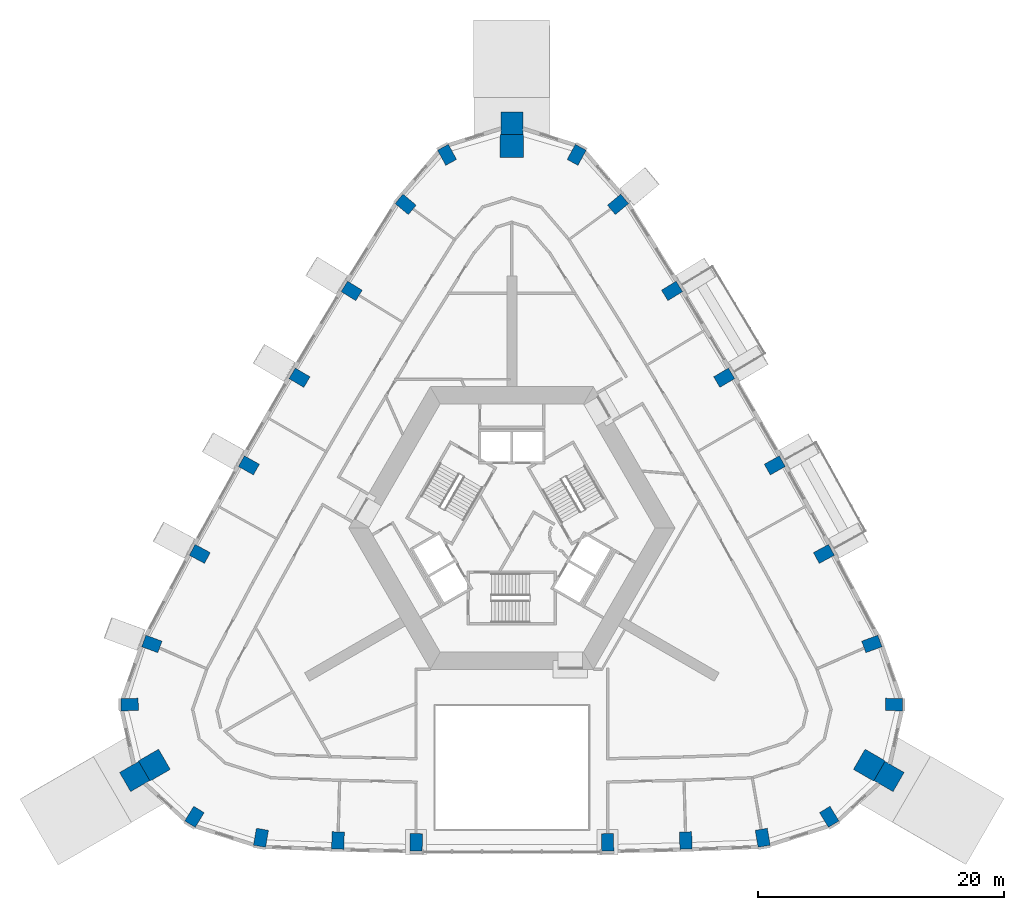
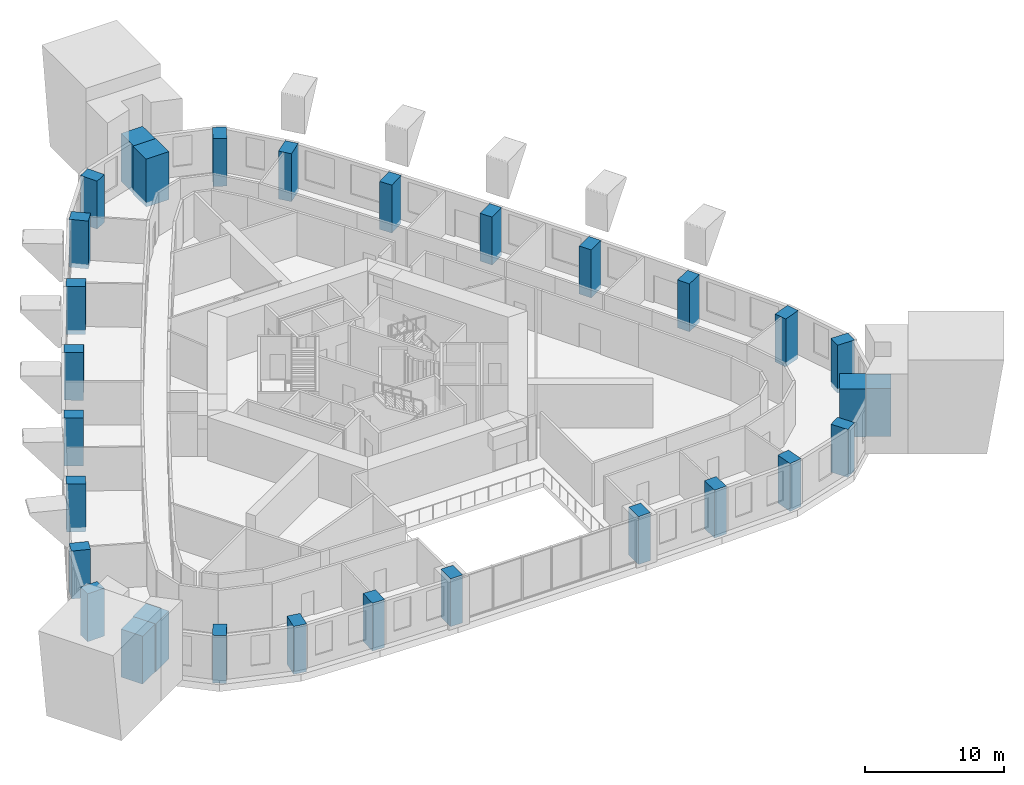
# One storey, part 1 of 13: 30 columns.
"""IFC4 building model written with IfcOpenShell, lengths in metres."""

from ifc_helpers import new_model, si_unit, direction, frame, origin, origin_2d, place, context, subcontext, project, spatial, rectangle, extrude, material, material_profile, profile_set, type_object, element, save


model = new_model("IFC4")

# Units and contexts
model_context = context("Model", 3, precision=1e-05, world=origin(), true_north=direction((0.0, 1.0)))
body_context = subcontext(model_context, "Body", "Model", "MODEL_VIEW")
ifc_project = project(units=[si_unit("LENGTHUNIT", "METRE"), si_unit("AREAUNIT", "SQUARE_METRE"), si_unit("VOLUMEUNIT", "CUBIC_METRE"), si_unit("PLANEANGLEUNIT", "RADIAN"), si_unit("MASSUNIT", "GRAM", prefix="KILO")], contexts=[model_context])

# Site, building, storey
site_placement = place(None, origin())
site = spatial("IfcSite", under=ifc_project, at=site_placement, CompositionType="ELEMENT")
building_placement = place(site_placement, origin())
building = spatial("IfcBuilding", under=site, at=building_placement, Name="Entoto Arch Interchange Tower", CompositionType="ELEMENT")
storey_placement = place(building_placement, frame((0.0, 0.0, 227.60009765625)))
storey = spatial("IfcBuildingStorey", under=building, at=storey_placement, Name="L51", CompositionType="ELEMENT", Elevation=227.60009765625)

# Columns
ifc_material_1 = material(Name="Concrete C50/60", Category="concrete")
ifc_material_profile_1 = material_profile(ifc_material_1, rectangle(XDim=1.0, YDim=1.39990234375, at=origin_2d()))
ifc_profile_set_1 = profile_set([ifc_material_profile_1], Name="Concrete C50/60")
column_type_1 = type_object("IfcColumnType", Name="Column RC 1000x1400 C50/60", PredefinedType="COLUMN", material=ifc_profile_set_1)
for number, where, z_axis, x_axis, name in (
    (1, (-20.4169921875, -22.7080078125, -0.400146484375), (0.0, 0.0, 1.0), (-0.985541276773, 0.169435509195, 0.0), "Column S01 L51"),
    (2, (-14.154052734375, -22.930908203125, -0.400146484375), (0.0, 0.0, 1.0), (-0.999420902032, 0.034027350502, 0.0), "Column S02 L51"),
    (3, (-7.7880859375, -23.077880859375, -0.400146484375), (0.0, 0.0, 1.0), (-0.999913181484, 0.013176854508, 0.0), "Column S03 L51"),
    (4, (7.7880859375, -23.077880859375, -0.400146484375), (0.0, 0.0, 1.0), (0.999913181484, 0.013176854508, 0.0), "Column S04 L51"),
    (5, (14.154052734375, -22.930908203125, -0.400146484375), (0.0, 0.0, 1.0), (0.999420902032, 0.034027350502, 0.0), "Column S05 L51"),
    (6, (20.4169921875, -22.7080078125, -0.400146484375), (0.0, 0.0, 1.0), (0.985541276773, 0.169435509195, 0.0), "Column S06 L51"),
    (7, (25.830078125, -21.0029296875, -0.400146484375), (0.0, 0.0, 1.0), (0.853423465127, 0.521218178089, 0.0), "Column SE1 L51"),
    (8, (31.10400390625, -11.867919921875, -0.400146484375), (0.0, 0.0, 1.0), (0.024676450576, 0.99969549003, 0.0), "Column SE3 L51"),
    (9, (29.299072265625, -6.93603515625, -0.400146484375), (0.0, 0.0, 1.0), (-0.34706660219, 0.937840484114, 0.0), "Column NE01 L51"),
    (10, (25.39501953125, 0.39111328125, -0.400146484375), (0.0, 0.0, 1.0), (-0.474134310084, 0.880452529102, 0.0), "Column NE02 L51"),
    (11, (21.39990234375, 7.59912109375, -0.400146484375), (0.0, 0.0, 1.0), (-0.491435856222, 0.870913772551, 0.0), "Column NE03 L51"),
    (12, (17.280029296875, 14.73291015625, -0.400146484375), (0.0, 0.0, 1.0), (-0.508515523424, 0.861052822095, 0.0), "Column NE04 L51"),
    (13, (13.035888671875, 21.797119140625, -0.400146484375), (0.0, 0.0, 1.0), (-0.525427101986, 0.850838621889, 0.0), "Column NE05 L51"),
    (14, (8.64208984375, 28.842041015625, -0.400146484375), (0.0, 0.0, 1.0), (-0.638660382845, 0.769488736359, 0.0), "Column NE06 L51"),
    (15, (5.27392578125, 32.87109375, -0.400146484375), (0.0, 0.0, 1.0), (-0.878099915703, 0.478477311941, 0.0), "Column N1 L51"),
    (16, (-5.27392578125, 32.87109375, -0.400146484375), (0.0, 0.0, 1.0), (0.878099915703, 0.478477311941, 0.0), "Column N3 L51"),
    (17, (-8.64208984375, 28.842041015625, -0.400146484375), (0.0, 0.0, 1.0), (0.638660382845, 0.769488736359, 0.0), "Column NW01 L51"),
    (18, (-13.035888671875, 21.797119140625, -0.400146484375), (0.0, 0.0, 1.0), (0.525427101986, 0.850838621889, 0.0), "Column NW02 L51"),
    (19, (-17.280029296875, 14.73291015625, -0.400146484375), (0.0, 0.0, 1.0), (0.508515523424, 0.861052822095, 0.0), "Column NW03 L51"),
    (20, (-21.39990234375, 7.59912109375, -0.400146484375), (0.0, 0.0, 1.0), (0.491435856222, 0.870913772551, 0.0), "Column NW04 L51"),
    (21, (-25.39501953125, 0.39111328125, -0.400146484375), (0.0, 0.0, 1.0), (0.474134310084, 0.880452529102, 0.0), "Column NW05 L51"),
    (22, (-29.299072265625, -6.93603515625, -0.400146484375), (0.0, 0.0, 1.0), (0.34706660219, 0.937840484114, 0.0), "Column NW06 L51"),
    (23, (-31.10400390625, -11.867919921875, -0.400146484375), (0.0, 0.0, 1.0), (-0.024676450576, 0.99969549003, 0.0), "Column SW1 L51"),
    (24, (-25.830078125, -21.0029296875, -0.400146484375), (0.0, 0.0, 1.0), (-0.853423465127, 0.521218178089, 0.0), "Column SW3 L51"),
):
    element("IfcColumn", number, at=place(storey_placement, frame(where, z_axis=z_axis, x_axis=x_axis)), inside=storey, type_object=column_type_1, Name=name, PredefinedType="COLUMN", context=body_context, shape_type="SweptSolid", body=[
        extrude(rectangle(XDim=1.0, YDim=1.39990234375, at=origin_2d()), origin(), (0.0, 0.0, 1.0), 4.199951171875),
    ])
ifc_material_2 = material(Name="Precast concrete C40/50", Category="concrete")
ifc_material_profile_2 = material_profile(ifc_material_2, rectangle(XDim=1.800048828125, YDim=1.800048828125, at=origin_2d()))
ifc_profile_set_2 = profile_set([ifc_material_profile_2], Name="Precast concrete C40/50")
column_type_2 = type_object("IfcColumnType", Name="Frame post RC 1800x1800 precast C40/50", PredefinedType="COLUMN", material=ifc_profile_set_2)
for number, where, z_axis, x_axis, name in (
    (25, (30.698974609375, -17.72412109375, -0.400146484375), (0.0, 0.0, 1.0), (-0.866025403784, 0.5, 0.0), "Frame post SE L51"),
    (26, (0.0, 35.447998046875, -0.400146484375), (0.0, 0.0, 1.0), (0.0, 1.0, 0.0), "Frame post N L51"),
    (27, (-30.698974609375, -17.72412109375, -0.400146484375), (0.0, 0.0, 1.0), (0.866025403784, 0.5, 0.0), "Frame post SW L51"),
):
    element("IfcColumn", number, at=place(storey_placement, frame(where, z_axis=z_axis, x_axis=x_axis)), inside=storey, type_object=column_type_2, Name=name, PredefinedType="COLUMN", context=body_context, shape_type="SweptSolid", body=[
        extrude(rectangle(XDim=1.800048828125, YDim=1.800048828125, at=origin_2d()), origin(), (0.0, 0.0, 1.0), 4.199951171875),
    ])
ifc_material_profile_3 = material_profile(ifc_material_1, rectangle(XDim=1.89990234375, YDim=1.89990234375, at=origin_2d()))
ifc_profile_set_3 = profile_set([ifc_material_profile_3], Name="Concrete C50/60")
column_type_3 = type_object("IfcColumnType", Name="Mega column RC 1900x1900 C50/60", PredefinedType="COLUMN", material=ifc_profile_set_3)
for number, where, z_axis, x_axis, name in (
    (28, (29.096923828125, -16.799072265625, -0.400146484375), (0.0, 0.0, 1.0), (-0.866025403784, 0.5, 0.0), "Corner mega column SE2 L51"),
    (29, (0.0, 33.597900390625, -0.400146484375), (0.0, 0.0, 1.0), (0.0, 1.0, 0.0), "Corner mega column N2 L51"),
    (30, (-29.096923828125, -16.799072265625, -0.400146484375), (0.0, 0.0, 1.0), (0.866025403784, 0.5, 0.0), "Corner mega column SW2 L51"),
):
    element("IfcColumn", number, at=place(storey_placement, frame(where, z_axis=z_axis, x_axis=x_axis)), inside=storey, type_object=column_type_3, Name=name, PredefinedType="COLUMN", context=body_context, shape_type="SweptSolid", body=[
        extrude(rectangle(XDim=1.89990234375, YDim=1.89990234375, at=origin_2d()), origin(), (0.0, 0.0, 1.0), 4.199951171875),
    ])

save(model, "model.ifc")
